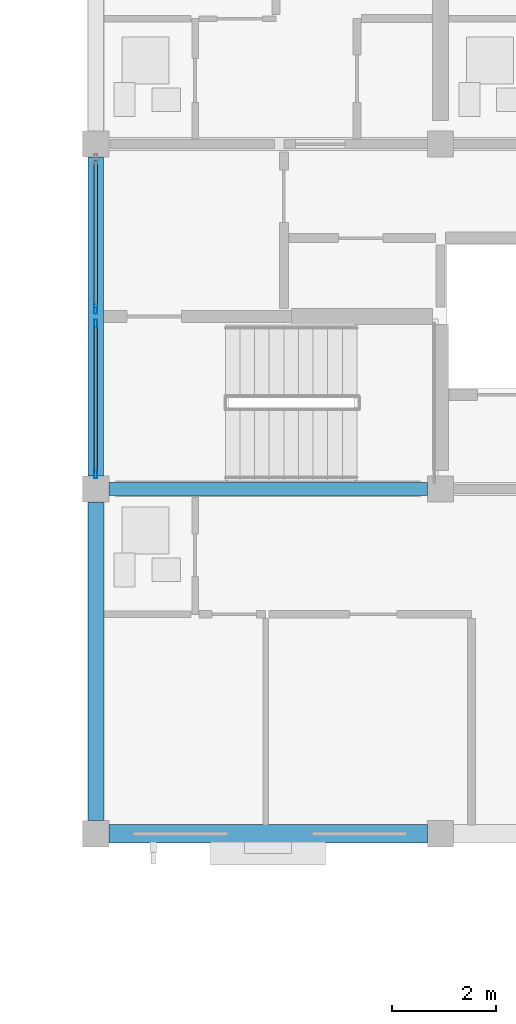
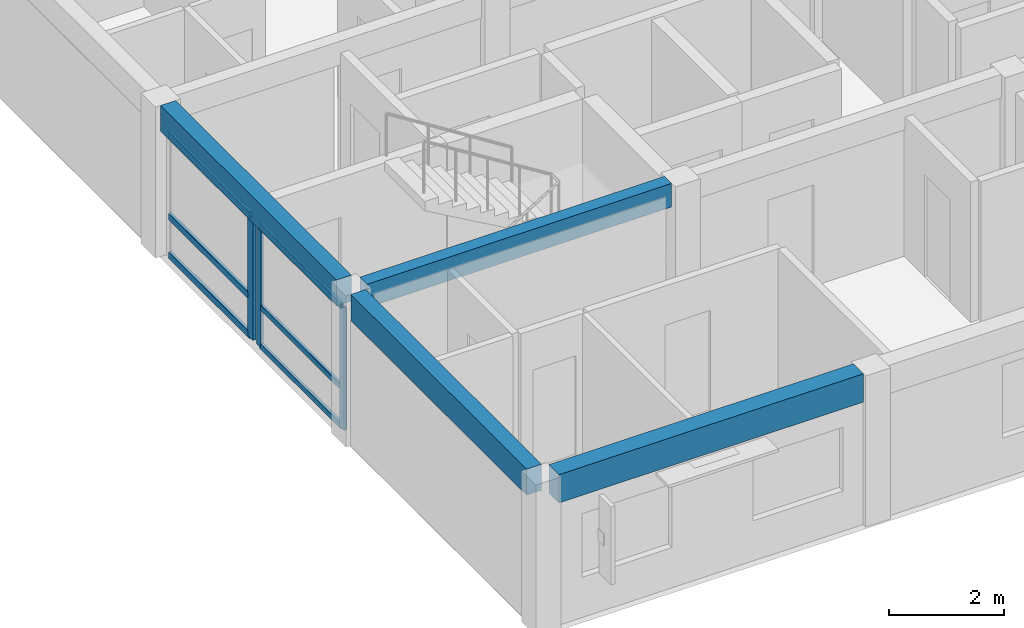
# One storey, part 19 of 53: 9 members, 4 beams, 2 elements without a shape of their own.
"""IFC4 building model written with IfcOpenShell, lengths in metres."""

from ifc_helpers import new_model, si_unit, direction, frame, origin, origin_2d, place, context, subcontext, project, spatial, rectangle, hollow_rectangle, extrude, material, material_profile, profile_set, type_object, element, aggregate, save


model = new_model("IFC4")

# Units and contexts
model_context = context("Model", 3, precision=1e-05, world=origin(), true_north=direction((0.0, 1.0)))
body_context = subcontext(model_context, "Body", "Model", "MODEL_VIEW")
ifc_project = project(units=[si_unit("LENGTHUNIT", "METRE"), si_unit("AREAUNIT", "SQUARE_METRE"), si_unit("VOLUMEUNIT", "CUBIC_METRE"), si_unit("PLANEANGLEUNIT", "RADIAN"), si_unit("MASSUNIT", "GRAM", prefix="KILO")], contexts=[model_context])

# Site, building, storey
site_placement = place(None, origin())
site = spatial("IfcSite", under=ifc_project, at=site_placement, CompositionType="ELEMENT")
building_placement = place(site_placement, origin())
building = spatial("IfcBuilding", under=site, at=building_placement, Name="Kernevlak Ridge Housing Community", CompositionType="ELEMENT")
storey_placement = place(building_placement, frame((0.0, 0.0, 24.39990234375)))
storey = spatial("IfcBuildingStorey", under=building, at=storey_placement, Name="L07", CompositionType="ELEMENT", Elevation=24.39990234375)

# Beam
ifc_material_1 = material(Name="Concrete C35/45", Category="concrete")
ifc_material_profile_1 = material_profile(ifc_material_1, rectangle(XDim=0.25, YDim=0.5, at=origin_2d()), Name="RC 250x500")
ifc_profile_set_1 = profile_set([ifc_material_profile_1], Name="Concrete C35/45")
beam_type_1 = type_object("IfcBeamType", Name="B-06", PredefinedType="T_BEAM", material=ifc_profile_set_1)
beam_1_placement = place(storey_placement, frame((119.64990234375, 89.199951171875, 2.9501953125), z_axis=(1.0, 0.0, 0.0), x_axis=(0.0, 1.0, 0.0)))
element("IfcBeam", 1, at=beam_1_placement, inside=storey, type_object=beam_type_1, Name="Beam B-06 L07 764", PredefinedType="T_BEAM", context=body_context, shape_type="SweptSolid", body=[
    extrude(rectangle(XDim=0.25, YDim=0.5, at=origin_2d()), origin(), (0.0, 0.0, 1.0), 6.10009765625),
])

# Curtain wall, members
ifc_material_2 = material(Name="Aluminium EN AW-6060 anodised and laminated glass", Category="aluminium")
curtain_wall_type_1 = type_object("IfcCurtainWallType", Name="CW-04", PredefinedType="NOTDEFINED", material=ifc_material_2)
curtain_wall_1_placement = place(storey_placement, origin())
curtain_wall_1 = element("IfcCurtainWall", 2, at=curtain_wall_1_placement, inside=storey, type_object=curtain_wall_type_1, Name="Curtain wall CW-04 CW-L07-076", PredefinedType="NOTDEFINED")
ifc_material_3 = material(Name="Aluminium EN AW-6060 anodised", Category="aluminium")
ifc_material_profile_2 = material_profile(ifc_material_3, hollow_rectangle(XDim=0.06005859375, YDim=0.159912109375, WallThickness=0.00390625, InnerFilletRadius=0.001953125, OuterFilletRadius=0.00390625, at=origin_2d()), Name="ALU 60x160x4")
ifc_profile_set_2 = profile_set([ifc_material_profile_2], Name="Aluminium EN AW-6060 anodised")
member_type_1 = type_object("IfcMemberType", Name="MU-02", PredefinedType="MULLION", material=ifc_profile_set_2)
member_1_placement = place(storey_placement, frame((119.39990234375, 89.47998046875, 0.0), z_axis=(0.0, 0.0, 1.0), x_axis=(-1.0, 0.0, 0.0)))
member_1 = element("IfcMember", 3, at=member_1_placement, type_object=member_type_1, Name="CW-04 mullion 1", PredefinedType="MULLION", context=body_context, shape_type="SweptSolid", body=[
    extrude(hollow_rectangle(XDim=0.06005859375, YDim=0.159912109375, WallThickness=0.00390625, InnerFilletRadius=0.001953125, OuterFilletRadius=0.00390625, at=origin_2d()), origin(), (0.0, 0.0, 1.0), 2.60009765625),
])
member_2_placement = place(storey_placement, frame((119.39990234375, 92.360107421875, 0.0), z_axis=(0.0, 0.0, 1.0), x_axis=(-1.0, 0.0, 0.0)))
member_2 = element("IfcMember", 4, at=member_2_placement, type_object=member_type_1, Name="CW-04 mullion 2", PredefinedType="MULLION", context=body_context, shape_type="SweptSolid", body=[
    extrude(hollow_rectangle(XDim=0.06005859375, YDim=0.159912109375, WallThickness=0.00390625, InnerFilletRadius=0.001953125, OuterFilletRadius=0.00390625, at=origin_2d()), origin(), (0.0, 0.0, 1.0), 2.60009765625),
])

# Curtain wall, member
curtain_wall_type_2 = type_object("IfcCurtainWallType", Name="CW-11", PredefinedType="NOTDEFINED", material=ifc_material_2)
curtain_wall_2_placement = place(storey_placement, origin())
curtain_wall_2 = element("IfcCurtainWall", 5, at=curtain_wall_2_placement, inside=storey, type_object=curtain_wall_type_2, Name="Curtain wall CW-11 CW-L07-077", PredefinedType="NOTDEFINED")
ifc_material_profile_3 = material_profile(ifc_material_3, hollow_rectangle(XDim=0.06494140625, YDim=0.179931640625, WallThickness=0.00439453125, InnerFilletRadius=0.001953125, OuterFilletRadius=0.00439453125, at=origin_2d()), Name="ALU 65x180x4.5")
ifc_profile_set_3 = profile_set([ifc_material_profile_3], Name="Aluminium EN AW-6060 anodised")
member_type_2 = type_object("IfcMemberType", Name="MU-03", PredefinedType="MULLION", material=ifc_profile_set_3)
member_3_placement = place(storey_placement, frame((119.39990234375, 92.642578125, 0.0), z_axis=(0.0, 0.0, 1.0), x_axis=(-1.0, 0.0, 0.0)))
member_3 = element("IfcMember", 6, at=member_3_placement, type_object=member_type_2, Name="CW-11 mullion 1", PredefinedType="MULLION", context=body_context, shape_type="SweptSolid", body=[
    extrude(hollow_rectangle(XDim=0.06494140625, YDim=0.179931640625, WallThickness=0.00439453125, InnerFilletRadius=0.001953125, OuterFilletRadius=0.00439453125, at=origin_2d()), origin(), (0.0, 0.0, 1.0), 2.60009765625),
])

# Beams
ifc_material_profile_4 = material_profile(ifc_material_1, rectangle(XDim=0.300048828125, YDim=0.550048828125, at=origin_2d()), Name="RC 300x550")
ifc_profile_set_4 = profile_set([ifc_material_profile_4], Name="Concrete C35/45")
beam_type_2 = type_object("IfcBeamType", Name="SP-01", PredefinedType="SPANDREL", material=ifc_profile_set_4)
beam_2_placement = place(storey_placement, frame((119.39990234375, 82.85009765625, 2.925048828125), z_axis=(0.0, 1.0, 0.0), x_axis=(-1.0, 0.0, 0.0)))
element("IfcBeam", 7, at=beam_2_placement, inside=storey, type_object=beam_type_2, Name="Beam SP-01 L07 779", PredefinedType="SPANDREL", context=body_context, shape_type="SweptSolid", body=[
    extrude(rectangle(XDim=0.300048828125, YDim=0.550048828125, at=origin_2d()), origin(), (0.0, 0.0, 1.0), 6.099853515625),
])
beam_3_placement = place(storey_placement, frame((119.39990234375, 89.449951171875, 2.925048828125), z_axis=(0.0, 1.0, 0.0), x_axis=(-1.0, 0.0, 0.0)))
element("IfcBeam", 8, at=beam_3_placement, inside=storey, type_object=beam_type_2, Name="Beam SP-01 L07 780", PredefinedType="SPANDREL", context=body_context, shape_type="SweptSolid", body=[
    extrude(rectangle(XDim=0.300048828125, YDim=0.550048828125, at=origin_2d()), origin(), (0.0, 0.0, 1.0), 6.10009765625),
])
ifc_material_profile_5 = material_profile(ifc_material_1, rectangle(XDim=0.35009765625, YDim=0.60009765625, at=origin_2d()), Name="RC 350x600")
ifc_profile_set_5 = profile_set([ifc_material_profile_5], Name="Concrete C35/45")
beam_type_3 = type_object("IfcBeamType", Name="SP-03", PredefinedType="SPANDREL", material=ifc_profile_set_5)
beam_4_placement = place(storey_placement, frame((119.64990234375, 82.60009765625, 2.900146484375), z_axis=(1.0, 0.0, 0.0), x_axis=(0.0, 1.0, 0.0)))
element("IfcBeam", 9, at=beam_4_placement, inside=storey, type_object=beam_type_3, Name="Beam SP-03 L07 759", PredefinedType="SPANDREL", context=body_context, shape_type="SweptSolid", body=[
    extrude(rectangle(XDim=0.35009765625, YDim=0.60009765625, at=origin_2d()), origin(), (0.0, 0.0, 1.0), 6.10009765625),
])

# Member
ifc_material_profile_6 = material_profile(ifc_material_3, hollow_rectangle(XDim=0.06005859375, YDim=0.1201171875, WallThickness=0.00390625, InnerFilletRadius=0.001953125, OuterFilletRadius=0.00390625, at=origin_2d()), Name="ALU 60x120x4")
ifc_profile_set_6 = profile_set([ifc_material_profile_6], Name="Aluminium EN AW-6060 anodised")
member_type_3 = type_object("IfcMemberType", Name="TM-02", PredefinedType="USERDEFINED", material=ifc_profile_set_6)
member_4_placement = place(storey_placement, frame((119.39990234375, 89.510009765625, 0.030029296875), z_axis=(0.0, 1.0, 0.0), x_axis=(-1.0, 0.0, 0.0)))
member_4 = element("IfcMember", 10, at=member_4_placement, type_object=member_type_3, Name="CW-04 transom 1.1", ObjectType="TRANSOM", PredefinedType="USERDEFINED", context=body_context, shape_type="SweptSolid", body=[
    extrude(hollow_rectangle(XDim=0.06005859375, YDim=0.1201171875, WallThickness=0.00390625, InnerFilletRadius=0.001953125, OuterFilletRadius=0.00390625, at=origin_2d()), origin(), (0.0, 0.0, 1.0), 2.820068359375),
])

member_5_placement = place(storey_placement, frame((119.39990234375, 89.510009765625, 0.85009765625), z_axis=(0.0, 1.0, 0.0), x_axis=(-1.0, 0.0, 0.0)))
member_5 = element("IfcMember", 11, at=member_5_placement, type_object=member_type_3, Name="CW-04 transom 1.2", ObjectType="TRANSOM", PredefinedType="USERDEFINED", context=body_context, shape_type="SweptSolid", body=[
    extrude(hollow_rectangle(XDim=0.06005859375, YDim=0.1201171875, WallThickness=0.00390625, InnerFilletRadius=0.001953125, OuterFilletRadius=0.00390625, at=origin_2d()), origin(), (0.0, 0.0, 1.0), 2.820068359375),
])

member_6_placement = place(storey_placement, frame((119.39990234375, 89.510009765625, 2.570068359375), z_axis=(0.0, 1.0, 0.0), x_axis=(-1.0, 0.0, 0.0)))
member_6 = element("IfcMember", 12, at=member_6_placement, type_object=member_type_3, Name="CW-04 transom 1.3", ObjectType="TRANSOM", PredefinedType="USERDEFINED", context=body_context, shape_type="SweptSolid", body=[
    extrude(hollow_rectangle(XDim=0.06005859375, YDim=0.1201171875, WallThickness=0.00390625, InnerFilletRadius=0.001953125, OuterFilletRadius=0.00390625, at=origin_2d()), origin(), (0.0, 0.0, 1.0), 2.820068359375),
])

aggregate(curtain_wall_1, [member_1, member_2, member_4, member_5, member_6])

ifc_material_profile_7 = material_profile(ifc_material_3, hollow_rectangle(XDim=0.06494140625, YDim=0.139892578125, WallThickness=0.00390625, InnerFilletRadius=0.001953125, OuterFilletRadius=0.00390625, at=origin_2d()), Name="ALU 65x140x4")
ifc_profile_set_7 = profile_set([ifc_material_profile_7], Name="Aluminium EN AW-6060 anodised")
member_type_4 = type_object("IfcMemberType", Name="TM-03", PredefinedType="USERDEFINED", material=ifc_profile_set_7)
member_7_placement = place(storey_placement, frame((119.39990234375, 92.675048828125, 0.03271484375), z_axis=(0.0, 1.0, 0.0), x_axis=(-1.0, 0.0, 0.0)))
member_7 = element("IfcMember", 13, at=member_7_placement, type_object=member_type_4, Name="CW-11 transom 1.1", ObjectType="TRANSOM", PredefinedType="USERDEFINED", context=body_context, shape_type="SweptSolid", body=[
    extrude(hollow_rectangle(XDim=0.06494140625, YDim=0.139892578125, WallThickness=0.00390625, InnerFilletRadius=0.001953125, OuterFilletRadius=0.00390625, at=origin_2d()), origin(), (0.0, 0.0, 1.0), 2.81005859375),
])

member_8_placement = place(storey_placement, frame((119.39990234375, 92.675048828125, 0.85009765625), z_axis=(0.0, 1.0, 0.0), x_axis=(-1.0, 0.0, 0.0)))
member_8 = element("IfcMember", 14, at=member_8_placement, type_object=member_type_4, Name="CW-11 transom 1.2", ObjectType="TRANSOM", PredefinedType="USERDEFINED", context=body_context, shape_type="SweptSolid", body=[
    extrude(hollow_rectangle(XDim=0.06494140625, YDim=0.139892578125, WallThickness=0.00390625, InnerFilletRadius=0.001953125, OuterFilletRadius=0.00390625, at=origin_2d()), origin(), (0.0, 0.0, 1.0), 2.81005859375),
])

member_9_placement = place(storey_placement, frame((119.39990234375, 92.675048828125, 2.567626953125), z_axis=(0.0, 1.0, 0.0), x_axis=(-1.0, 0.0, 0.0)))
member_9 = element("IfcMember", 15, at=member_9_placement, type_object=member_type_4, Name="CW-11 transom 1.3", ObjectType="TRANSOM", PredefinedType="USERDEFINED", context=body_context, shape_type="SweptSolid", body=[
    extrude(hollow_rectangle(XDim=0.06494140625, YDim=0.139892578125, WallThickness=0.00390625, InnerFilletRadius=0.001953125, OuterFilletRadius=0.00390625, at=origin_2d()), origin(), (0.0, 0.0, 1.0), 2.81005859375),
])

aggregate(curtain_wall_2, [member_3, member_7, member_8, member_9])

save(model, "model.ifc")
